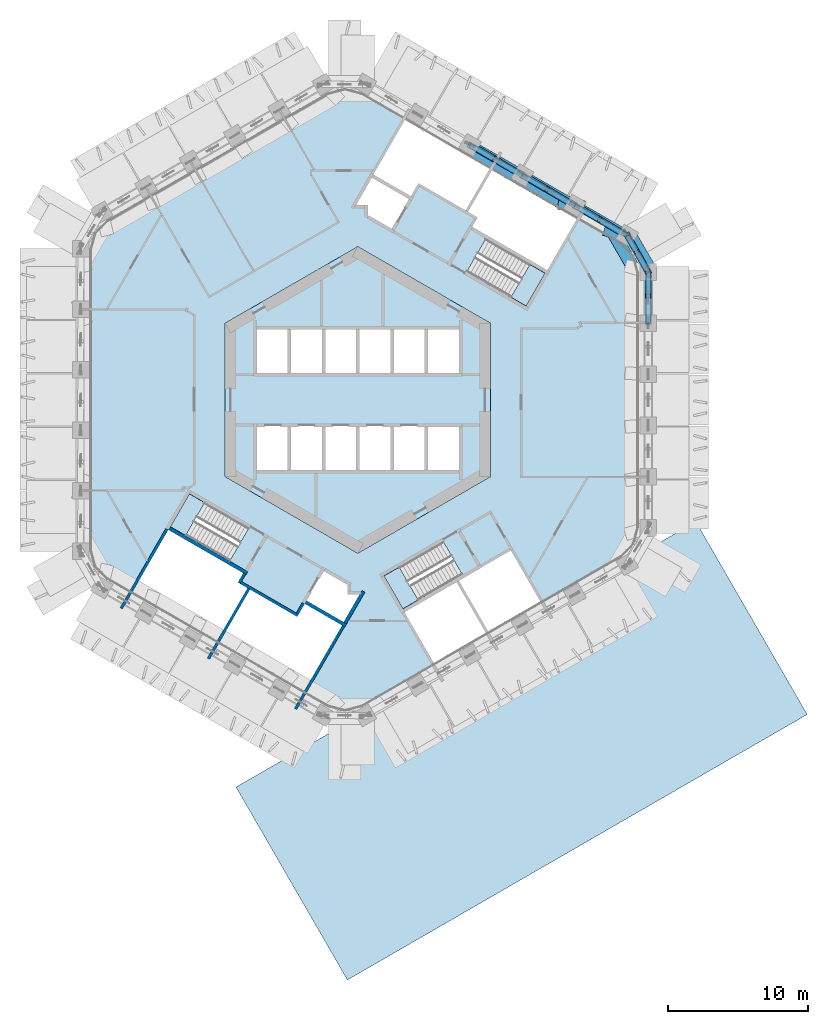
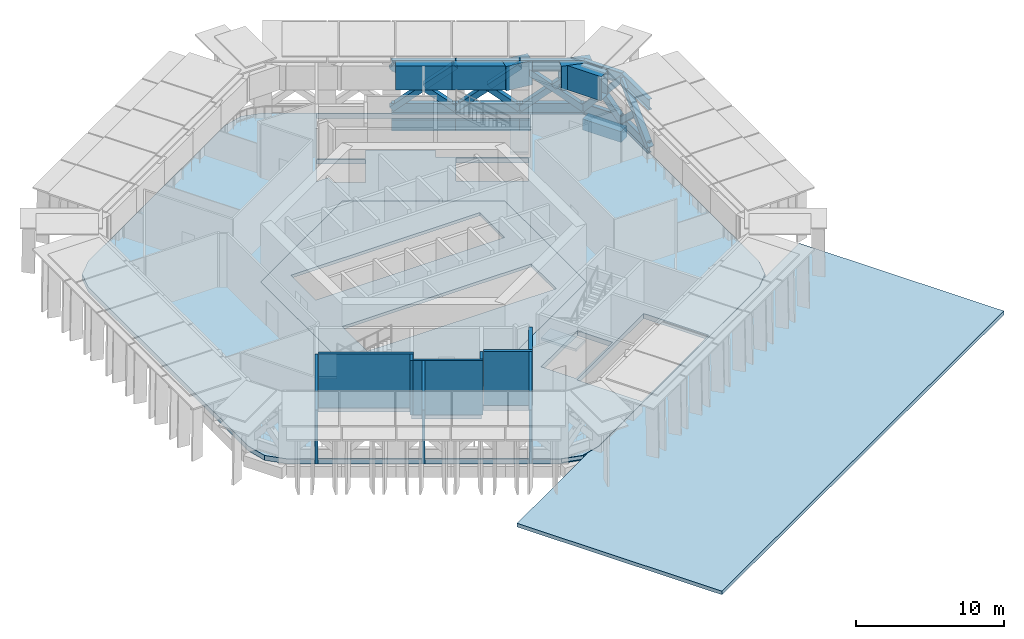
# One storey, part 5 of 16: 24 members, 9 beams, 9 walls, 6 slabs, 3 elements without a shape of their own.
"""IFC4 building model written with IfcOpenShell, lengths in metres."""

from ifc_helpers import new_model, si_unit, direction, frame, frame_2d, origin, origin_2d, place, context, subcontext, project, spatial, polyline, rectangle, hollow_rectangle, i_section, outline, extrude, material, layer, layer_set, material_profile, profile_set, type_object, element, aggregate, save


model = new_model("IFC4")

# Units and contexts
model_context = context("Model", 3, precision=1e-05, world=origin(), true_north=direction((0.0, 1.0)))
body_context = subcontext(model_context, "Body", "Model", "MODEL_VIEW")
ifc_project = project(units=[si_unit("LENGTHUNIT", "METRE"), si_unit("AREAUNIT", "SQUARE_METRE"), si_unit("VOLUMEUNIT", "CUBIC_METRE"), si_unit("PLANEANGLEUNIT", "RADIAN"), si_unit("MASSUNIT", "GRAM", prefix="KILO")], contexts=[model_context])

# Site, building, storey
site_placement = place(None, origin())
site = spatial("IfcSite", under=ifc_project, at=site_placement, CompositionType="ELEMENT")
building_placement = place(site_placement, origin())
building = spatial("IfcBuilding", under=site, at=building_placement, Name="Ayvan Gate Tower", CompositionType="ELEMENT")
storey_placement = place(building_placement, frame((0.0, 0.0, 78.300048828125)))
storey = spatial("IfcBuildingStorey", under=building, at=storey_placement, Name="L20", CompositionType="ELEMENT", Elevation=78.300048828125)

# Members
ifc_material_1 = material(Name="Steel S460ML", Category="steel")
ifc_material_profile_1 = material_profile(ifc_material_1, hollow_rectangle(XDim=0.449951171875, YDim=0.449951171875, WallThickness=0.02490234375, at=origin_2d()), Name="BOX 450x450x25")
ifc_profile_set_1 = profile_set([ifc_material_profile_1], Name="Steel S460ML")
member_type_1 = type_object("IfcMemberType", Name="Belt truss brace BT1 BOX 450x450x25", PredefinedType="BRACE", material=ifc_profile_set_1)
member_1_placement = place(storey_placement, frame((20.78466796875, 5.516845703125, 0.449951171875), z_axis=(0.0, 0.712633238517, 0.701536789742), x_axis=(-1.0, 0.0, 0.0)))
element("IfcMember", 1, at=member_1_placement, inside=storey, type_object=member_type_1, Name="BT1-DA-5", PredefinedType="BRACE", context=body_context, shape_type="SweptSolid", body=[
    extrude(hollow_rectangle(XDim=0.449951171875, YDim=0.449951171875, WallThickness=0.02490234375, at=origin_2d()), origin(), (0.0, 0.0, 1.0), 5.060302734375),
])
member_2_placement = place(storey_placement, frame((20.78466796875, 9.194580078125, 0.449951171875), z_axis=(0.0, -0.72351122991, 0.690312610485), x_axis=(1.0, 0.0, 0.0)))
element("IfcMember", 2, at=member_2_placement, inside=storey, type_object=member_type_1, Name="BT1-DB-5", PredefinedType="BRACE", context=body_context, shape_type="SweptSolid", body=[
    extrude(hollow_rectangle(XDim=0.449951171875, YDim=0.449951171875, WallThickness=0.02490234375, at=origin_2d()), origin(), (0.0, 0.0, 1.0), 2.456298828125),
])
member_3_placement = place(storey_placement, frame((20.78466796875, 9.194580078125, 0.449951171875), z_axis=(-0.325498242601, 0.548271698026, 0.770356436468), x_axis=(-0.85988095902, -0.510494599692, 0.0)))
element("IfcMember", 3, at=member_3_placement, inside=storey, type_object=member_type_1, Name="BT1-DA-6", PredefinedType="BRACE", context=body_context, shape_type="SweptSolid", body=[
    extrude(hollow_rectangle(XDim=0.449951171875, YDim=0.449951171875, WallThickness=0.02490234375, at=origin_2d()), origin(), (0.0, 0.0, 1.0), 4.6083984375),
])
member_4_placement = place(storey_placement, frame((19.28466796875, 11.792724609375, 0.449951171875), z_axis=(0.319953491886, -0.569393817515, 0.757245299494), x_axis=(0.871791696343, 0.489876758162, 0.0)))
element("IfcMember", 4, at=member_4_placement, inside=storey, type_object=member_type_1, Name="BT1-DB-6", PredefinedType="BRACE", context=body_context, shape_type="SweptSolid", body=[
    extrude(hollow_rectangle(XDim=0.449951171875, YDim=0.449951171875, WallThickness=0.02490234375, at=origin_2d()), origin(), (0.0, 0.0, 1.0), 2.2158203125),
])
member_5_placement = place(storey_placement, frame((20.07568359375, 10.385009765625, 2.322021484375), z_axis=(0.31993341987, -0.569468266979, 0.757197794341), x_axis=(0.871832169595, 0.489804724415, 0.0)))
element("IfcMember", 5, at=member_5_placement, inside=storey, type_object=member_type_1, Name="BT1-DC-6", PredefinedType="BRACE", context=body_context, shape_type="SweptSolid", body=[
    extrude(hollow_rectangle(XDim=0.449951171875, YDim=0.449951171875, WallThickness=0.02490234375, at=origin_2d()), origin(), (0.0, 0.0, 1.0), 2.216064453125),
])
member_6_placement = place(storey_placement, frame((19.28466796875, 11.792724609375, 0.449951171875), z_axis=(-0.673391719813, 0.375920861919, 0.636574502522), x_axis=(-0.487439635813, -0.873156687793, 0.0)))
element("IfcMember", 6, at=member_6_placement, inside=storey, type_object=member_type_1, Name="BT1-DA-7", PredefinedType="BRACE", context=body_context, shape_type="SweptSolid", body=[
    extrude(hollow_rectangle(XDim=0.449951171875, YDim=0.449951171875, WallThickness=0.02490234375, at=origin_2d()), origin(), (0.0, 0.0, 1.0), 5.576904296875),
])
member_7_placement = place(storey_placement, frame((15.541748046875, 13.95361328125, 0.449951171875), z_axis=(0.665871355865, -0.397151216909, 0.631574420275), x_axis=(0.512244808843, 0.858839481983, 0.0)))
element("IfcMember", 7, at=member_7_placement, inside=storey, type_object=member_type_1, Name="BT1-DB-7", PredefinedType="BRACE", context=body_context, shape_type="SweptSolid", body=[
    extrude(hollow_rectangle(XDim=0.449951171875, YDim=0.449951171875, WallThickness=0.02490234375, at=origin_2d()), origin(), (0.0, 0.0, 1.0), 2.676513671875),
])
member_8_placement = place(storey_placement, frame((17.496337890625, 12.787841796875, 2.3037109375), z_axis=(0.665858217983, -0.397151474999, 0.631588109016), x_axis=(0.51225250928, 0.8588348891, 0.0)))
element("IfcMember", 8, at=member_8_placement, inside=storey, type_object=member_type_1, Name="BT1-DC-7", PredefinedType="BRACE", context=body_context, shape_type="SweptSolid", body=[
    extrude(hollow_rectangle(XDim=0.449951171875, YDim=0.449951171875, WallThickness=0.02490234375, at=origin_2d()), origin(), (0.0, 0.0, 1.0), 2.685791015625),
])
member_9_placement = place(storey_placement, frame((15.541748046875, 13.95361328125, 0.449951171875), z_axis=(-0.674253001229, 0.376492879186, 0.635323541399), x_axis=(-0.487529677647, -0.873106415858, 0.0)))
element("IfcMember", 9, at=member_9_placement, inside=storey, type_object=member_type_1, Name="BT1-DA-8", PredefinedType="BRACE", context=body_context, shape_type="SweptSolid", body=[
    extrude(hollow_rectangle(XDim=0.449951171875, YDim=0.449951171875, WallThickness=0.02490234375, at=origin_2d()), origin(), (0.0, 0.0, 1.0), 5.587890625),
])
member_10_placement = place(storey_placement, frame((11.799072265625, 16.114501953125, 0.449951171875), z_axis=(0.66494855074, -0.396647203967, 0.632862086441), x_axis=(0.512288995468, 0.858813125844, 0.0)))
element("IfcMember", 10, at=member_10_placement, inside=storey, type_object=member_type_1, Name="BT1-DB-8", PredefinedType="BRACE", context=body_context, shape_type="SweptSolid", body=[
    extrude(hollow_rectangle(XDim=0.449951171875, YDim=0.449951171875, WallThickness=0.02490234375, at=origin_2d()), origin(), (0.0, 0.0, 1.0), 2.670654296875),
])
member_11_placement = place(storey_placement, frame((13.7470703125, 14.952392578125, 2.303955078125), z_axis=(0.664965330644, -0.396701919857, 0.632810157806), x_axis=(0.5123315797, 0.858787722573, 0.0)))
element("IfcMember", 11, at=member_11_placement, inside=storey, type_object=member_type_1, Name="BT1-DC-8", PredefinedType="BRACE", context=body_context, shape_type="SweptSolid", body=[
    extrude(hollow_rectangle(XDim=0.449951171875, YDim=0.449951171875, WallThickness=0.02490234375, at=origin_2d()), origin(), (0.0, 0.0, 1.0), 2.68017578125),
])
member_12_placement = place(storey_placement, frame((11.799072265625, 16.114501953125, 0.449951171875), z_axis=(-0.675143966683, 0.377013158687, 0.634067585064), x_axis=(-0.487552132167, -0.873093877209, 0.0)))
element("IfcMember", 12, at=member_12_placement, inside=storey, type_object=member_type_1, Name="BT1-DA-9", PredefinedType="BRACE", context=body_context, shape_type="SweptSolid", body=[
    extrude(hollow_rectangle(XDim=0.449951171875, YDim=0.449951171875, WallThickness=0.02490234375, at=origin_2d()), origin(), (0.0, 0.0, 1.0), 5.598876953125),
])
member_13_placement = place(storey_placement, frame((8.05615234375, 18.275390625, 0.449951171875), z_axis=(0.664098181852, -0.396168915381, 0.634053464108), x_axis=(0.512316620326, 0.85879664679, 0.0)))
element("IfcMember", 13, at=member_13_placement, inside=storey, type_object=member_type_1, Name="BT1-DB-9", PredefinedType="BRACE", context=body_context, shape_type="SweptSolid", body=[
    extrude(hollow_rectangle(XDim=0.449951171875, YDim=0.449951171875, WallThickness=0.02490234375, at=origin_2d()), origin(), (0.0, 0.0, 1.0), 2.665283203125),
])
member_14_placement = place(storey_placement, frame((9.998046875, 17.116943359375, 2.30419921875), z_axis=(0.664091074834, -0.396172544987, 0.634058639972), x_axis=(0.512324125775, 0.858792169357, 0.0)))
element("IfcMember", 14, at=member_14_placement, inside=storey, type_object=member_type_1, Name="BT1-DC-9", PredefinedType="BRACE", context=body_context, shape_type="SweptSolid", body=[
    extrude(hollow_rectangle(XDim=0.449951171875, YDim=0.449951171875, WallThickness=0.02490234375, at=origin_2d()), origin(), (0.0, 0.0, 1.0), 2.674560546875),
])
ifc_material_profile_2 = material_profile(ifc_material_1, i_section(OverallWidth=0.300048828125, OverallDepth=0.89990234375, WebThickness=0.0185546875, FlangeThickness=0.034912109375, FilletRadius=0.030029296875, at=origin_2d()), Name="HE 900 B")
ifc_profile_set_2 = profile_set([ifc_material_profile_2], Name="Steel S460ML")
member_type_2 = type_object("IfcMemberType", Name="Belt truss chord BT1 HE 900 B", PredefinedType="CHORD", material=ifc_profile_set_2)
member_15_placement = place(storey_placement, frame((20.78466796875, 5.516845703125, 0.449951171875), z_axis=(0.0, 1.0, 0.0), x_axis=(-1.0, 0.0, 0.0)))
element("IfcMember", 15, at=member_15_placement, inside=storey, type_object=member_type_2, Name="BT1-BC-5", PredefinedType="CHORD", context=body_context, shape_type="SweptSolid", body=[
    extrude(i_section(OverallWidth=0.300048828125, OverallDepth=0.89990234375, WebThickness=0.0185546875, FlangeThickness=0.034912109375, FilletRadius=0.030029296875, at=origin_2d()), origin(), (0.0, 0.0, 1.0), 3.677734375),
])
member_16_placement = place(storey_placement, frame((20.78466796875, 5.473876953125, 4.0), z_axis=(0.0, 1.0, 0.0), x_axis=(-1.0, 0.0, 0.0)))
element("IfcMember", 16, at=member_16_placement, inside=storey, type_object=member_type_2, Name="BT1-TC-5", PredefinedType="CHORD", context=body_context, shape_type="SweptSolid", body=[
    extrude(i_section(OverallWidth=0.300048828125, OverallDepth=0.89990234375, WebThickness=0.0185546875, FlangeThickness=0.034912109375, FilletRadius=0.030029296875, at=origin_2d()), origin(), (0.0, 0.0, 1.0), 3.649169921875),
])
for number, where, z_axis, x_axis, name in (
    (17, (20.78466796875, 9.194580078125, 0.449951171875), (-0.499990139034, 0.866031096941, 0.0), (-0.866031096941, -0.499990139034, 0.0), "BT1-BC-6"),
    (18, (20.78466796875, 9.123046875, 4.0), (-0.499990139034, 0.866031096941, 0.0), (-0.866031096941, -0.499990139034, 0.0), "BT1-TC-6"),
):
    element("IfcMember", number, at=place(storey_placement, frame(where, z_axis=z_axis, x_axis=x_axis)), inside=storey, type_object=member_type_2, Name=name, PredefinedType="CHORD", context=body_context, shape_type="SweptSolid", body=[
        extrude(i_section(OverallWidth=0.300048828125, OverallDepth=0.89990234375, WebThickness=0.0185546875, FlangeThickness=0.034912109375, FilletRadius=0.030029296875, at=origin_2d()), origin(), (0.0, 0.0, 1.0), 3.0),
    ])
member_17_placement = place(storey_placement, frame((19.28466796875, 11.792724609375, 0.449951171875), z_axis=(-0.866034135484, 0.499984875948, 0.0), x_axis=(-0.499984875948, -0.866034135484, 0.0)))
element("IfcMember", 19, at=member_17_placement, inside=storey, type_object=member_type_2, Name="BT1-BC-7", PredefinedType="CHORD", context=body_context, shape_type="SweptSolid", body=[
    extrude(i_section(OverallWidth=0.300048828125, OverallDepth=0.89990234375, WebThickness=0.0185546875, FlangeThickness=0.034912109375, FilletRadius=0.030029296875, at=origin_2d()), origin(), (0.0, 0.0, 1.0), 4.322021484375),
])
member_18_placement = place(storey_placement, frame((19.28466796875, 11.72119140625, 4.0), z_axis=(-0.866044951753, 0.499966140396, 0.0), x_axis=(-0.499966140396, -0.866044951753, 0.0)))
element("IfcMember", 20, at=member_18_placement, inside=storey, type_object=member_type_2, Name="BT1-TC-7", PredefinedType="CHORD", context=body_context, shape_type="SweptSolid", body=[
    extrude(i_section(OverallWidth=0.300048828125, OverallDepth=0.89990234375, WebThickness=0.0185546875, FlangeThickness=0.034912109375, FilletRadius=0.030029296875, at=origin_2d()), origin(), (0.0, 0.0, 1.0), 4.336181640625),
])
member_19_placement = place(storey_placement, frame((15.541748046875, 13.95361328125, 0.449951171875), z_axis=(-0.866020013031, 0.500009336943, 0.0), x_axis=(-0.500009336943, -0.866020013031, 0.0)))
element("IfcMember", 21, at=member_19_placement, inside=storey, type_object=member_type_2, Name="BT1-BC-8", PredefinedType="CHORD", context=body_context, shape_type="SweptSolid", body=[
    extrude(i_section(OverallWidth=0.300048828125, OverallDepth=0.89990234375, WebThickness=0.0185546875, FlangeThickness=0.034912109375, FilletRadius=0.030029296875, at=origin_2d()), origin(), (0.0, 0.0, 1.0), 4.32177734375),
])
member_20_placement = place(storey_placement, frame((15.529296875, 13.88916015625, 4.0), z_axis=(-0.866006496088, 0.50003274766, 0.0), x_axis=(-0.50003274766, -0.866006496088, 0.0)))
element("IfcMember", 22, at=member_20_placement, inside=storey, type_object=member_type_2, Name="BT1-TC-8", PredefinedType="CHORD", context=body_context, shape_type="SweptSolid", body=[
    extrude(i_section(OverallWidth=0.300048828125, OverallDepth=0.89990234375, WebThickness=0.0185546875, FlangeThickness=0.034912109375, FilletRadius=0.030029296875, at=origin_2d()), origin(), (0.0, 0.0, 1.0), 4.336181640625),
])
member_21_placement = place(storey_placement, frame((11.799072265625, 16.114501953125, 0.449951171875), z_axis=(-0.866034135484, 0.499984875948, 0.0), x_axis=(-0.499984875948, -0.866034135484, 0.0)))
element("IfcMember", 23, at=member_21_placement, inside=storey, type_object=member_type_2, Name="BT1-BC-9", PredefinedType="CHORD", context=body_context, shape_type="SweptSolid", body=[
    extrude(i_section(OverallWidth=0.300048828125, OverallDepth=0.89990234375, WebThickness=0.0185546875, FlangeThickness=0.034912109375, FilletRadius=0.030029296875, at=origin_2d()), origin(), (0.0, 0.0, 1.0), 4.322021484375),
])
member_22_placement = place(storey_placement, frame((11.774169921875, 16.057373046875, 4.0), z_axis=(-0.866030877007, 0.499990519981, 0.0), x_axis=(-0.499990519981, -0.866030877007, 0.0)))
element("IfcMember", 24, at=member_22_placement, inside=storey, type_object=member_type_2, Name="BT1-TC-9", PredefinedType="CHORD", context=body_context, shape_type="SweptSolid", body=[
    extrude(i_section(OverallWidth=0.300048828125, OverallDepth=0.89990234375, WebThickness=0.0185546875, FlangeThickness=0.034912109375, FilletRadius=0.030029296875, at=origin_2d()), origin(), (0.0, 0.0, 1.0), 4.3359375),
])

# Beams
ifc_material_2 = material(Name="Concrete C40/50", Category="concrete")
ifc_material_profile_3 = material_profile(ifc_material_2, rectangle(XDim=0.800048828125, YDim=0.89990234375, at=origin_2d()), Name="RC 800x900")
ifc_profile_set_3 = profile_set([ifc_material_profile_3], Name="Concrete C40/50")
beam_type_1 = type_object("IfcBeamType", Name="Corner spandrel beam RC 800x900 C40/50", PredefinedType="BEAM", material=ifc_profile_set_3)
beam_1_placement = place(storey_placement, frame((20.97509765625, 9.330810546875, -0.85009765625), z_axis=(-0.499990139034, 0.866031096941, 0.0), x_axis=(-0.866031096941, -0.499990139034, 0.0)))
element("IfcBeam", 25, at=beam_1_placement, inside=storey, type_object=beam_type_1, Name="SB-L20-6", PredefinedType="BEAM", context=body_context, shape_type="SweptSolid", body=[
    extrude(rectangle(XDim=0.800048828125, YDim=0.89990234375, at=origin_2d()), origin(), (0.0, 0.0, 1.0), 3.0),
])
ifc_material_profile_4 = material_profile(ifc_material_2, rectangle(XDim=0.60009765625, YDim=0.89990234375, at=origin_2d()), Name="RC 600x900")
ifc_profile_set_4 = profile_set([ifc_material_profile_4], Name="Concrete C40/50")
beam_type_2 = type_object("IfcBeamType", Name="Spandrel beam RC 600x900 C40/50", PredefinedType="BEAM", material=ifc_profile_set_4)
for number, where, z_axis, x_axis, name in (
    (26, (19.28466796875, 11.81884765625, -0.85009765625), (-0.866010398801, 0.500025988493, 0.0), (-0.500025988493, -0.866010398801, 0.0), "SB-L20-7"),
    (27, (15.54638671875, 13.977294921875, -0.85009765625), (-0.866034889475, 0.499983569942, 0.0), (-0.499983569942, -0.866034889475, 0.0), "SB-L20-8"),
    (28, (11.80810546875, 16.135498046875, -0.85009765625), (-0.866010398801, 0.500025988493, 0.0), (-0.500025988493, -0.866010398801, 0.0), "SB-L20-9"),
):
    element("IfcBeam", number, at=place(storey_placement, frame(where, z_axis=z_axis, x_axis=x_axis)), inside=storey, type_object=beam_type_2, Name=name, PredefinedType="BEAM", context=body_context, shape_type="SweptSolid", body=[
        extrude(rectangle(XDim=0.60009765625, YDim=0.89990234375, at=origin_2d()), origin(), (0.0, 0.0, 1.0), 4.316650390625),
    ])
ifc_material_profile_5 = material_profile(ifc_material_1, hollow_rectangle(XDim=0.89990234375, YDim=2.0, WallThickness=0.06005859375, at=origin_2d()), Name="BOX 900x2000x60")
ifc_profile_set_5 = profile_set([ifc_material_profile_5], Name="Steel S460ML")
beam_type_3 = type_object("IfcBeamType", Name="Transfer ring girder BOX 900x2000x60", PredefinedType="BEAM", material=ifc_profile_set_5)
beam_2_placement = place(storey_placement, frame((19.6328125, 9.60302734375, 3.449951171875), z_axis=(-0.50002537861, 0.866010750942, 0.0), x_axis=(-0.866010750942, -0.50002537861, 0.0)))
element("IfcBeam", 29, at=beam_2_placement, inside=storey, type_object=beam_type_3, Name="TR-L20-6", PredefinedType="BEAM", context=body_context, shape_type="SweptSolid", body=[
    extrude(hollow_rectangle(XDim=0.89990234375, YDim=2.0, WallThickness=0.06005859375, at=origin_2d()), origin(), (0.0, 0.0, 1.0), 2.999755859375),
])
beam_3_placement = place(storey_placement, frame((14.6884765625, 14.01953125, 3.449951171875), z_axis=(-0.866028607742, 0.499994450542, 0.0), x_axis=(-0.499994450542, -0.866028607742, 0.0)))
element("IfcBeam", 30, at=beam_3_placement, inside=storey, type_object=beam_type_3, Name="TR-L20-8", PredefinedType="BEAM", context=body_context, shape_type="SweptSolid", body=[
    extrude(hollow_rectangle(XDim=0.89990234375, YDim=2.0, WallThickness=0.06005859375, at=origin_2d()), origin(), (0.0, 0.0, 1.0), 3.80712890625),
])
beam_4_placement = place(storey_placement, frame((11.391357421875, 15.923095703125, 3.449951171875), z_axis=(-0.866000839906, 0.500042543472, 0.0), x_axis=(-0.500042543472, -0.866000839906, 0.0)))
element("IfcBeam", 31, at=beam_4_placement, inside=storey, type_object=beam_type_3, Name="TR-L20-9", PredefinedType="BEAM", context=body_context, shape_type="SweptSolid", body=[
    extrude(hollow_rectangle(XDim=0.89990234375, YDim=2.0, WallThickness=0.06005859375, at=origin_2d()), origin(), (0.0, 0.0, 1.0), 3.807373046875),
])
beam_5_placement = place(storey_placement, frame((19.738037109375, 11.598388671875, 3.449951171875), z_axis=(-0.95904886431, 0.283240667748, 0.0), x_axis=(-0.283240667748, -0.95904886431, 0.0)))
element("IfcBeam", 32, at=beam_5_placement, inside=storey, type_object=beam_type_3, Name="TS-L20-T1-0", PredefinedType="BEAM", context=body_context, shape_type="SweptSolid", body=[
    extrude(hollow_rectangle(XDim=0.89990234375, YDim=2.0, WallThickness=0.06005859375, at=origin_2d()), origin(), (0.0, 0.0, 1.0), 2.17724609375),
])
beam_6_placement = place(storey_placement, frame((16.248291015625, 13.796875, 3.449951171875), z_axis=(-0.989957099481, 0.141368105267, 0.0), x_axis=(-0.141368105267, -0.989957099481, 0.0)))
element("IfcBeam", 33, at=beam_6_placement, inside=storey, type_object=beam_type_3, Name="TS-L20-T1-1", PredefinedType="BEAM", context=body_context, shape_type="SweptSolid", body=[
    extrude(hollow_rectangle(XDim=0.89990234375, YDim=2.0, WallThickness=0.06005859375, at=origin_2d()), origin(), (0.0, 0.0, 1.0), 1.925537109375),
])

# Slabs
ifc_layer_1 = layer(ifc_material_2, 0.39990234375)
ifc_layer_set_1 = layer_set([ifc_layer_1], Name="Concrete C40/50")
slab_type_1 = type_object("IfcSlabType", Name="Post-tensioned flat slab 400", PredefinedType="FLOOR", material=ifc_layer_set_1)
slab_1_placement = place(storey_placement, frame((0.0, 0.0, -0.400146484375)))
element("IfcSlab", 34, at=slab_1_placement, inside=storey, type_object=slab_type_1, Name="SL-L20", PredefinedType="FLOOR", context=body_context, shape_type="SweptSolid", body=[
    extrude(outline(polyline([(-18.363037109375, -13.398193359375), (-19.4609375, -12.300048828125), (-19.863037109375, -10.800048828125), (-19.863037109375, 10.800048828125), (-19.4609375, 12.300048828125), (-18.363037109375, 13.398193359375), (-2.421630859375, 22.601806640625), (-0.921630859375, 23.00390625), (0.578369140625, 22.601806640625), (19.28466796875, 11.8017578125), (20.382568359375, 10.703857421875), (20.78466796875, 9.203857421875), (20.78466796875, -9.203857421875), (20.382568359375, -10.703857421875), (19.28466796875, -11.8017578125), (0.578369140625, -22.601806640625), (-0.921630859375, -23.00390625), (-2.421630859375, -22.601806640625), (-18.363037109375, -13.398193359375)]), holes=[polyline([(8.44287109375, 13.0234375), (8.042724609375, 12.33056640625), (13.58544921875, 9.130615234375), (16.116943359375, 13.51513671875), (3.64599609375, 20.71533203125), (1.0146484375, 16.157470703125), (3.87255859375, 14.50732421875), (4.37255859375, 15.373291015625), (7.75, 13.42333984375), (8.44287109375, 13.0234375)]), polyline([(3.193115234375, -15.130615234375), (3.581787109375, -15.8037109375), (4.761474609375, -17.847412109375), (5.724609375, -19.51513671875), (13.518798828125, -15.01513671875), (12.241943359375, -12.8037109375), (10.9873046875, -10.630615234375), (8.735595703125, -11.9306640625), (7.090087890625, -12.880615234375), (3.193115234375, -15.130615234375)]), polyline([(7.80615234375, 9.170654296875), (12.049560546875, 6.720458984375), (13.404541015625, 9.0673828125), (9.1611328125, 11.517578125), (7.80615234375, 9.170654296875)]), polyline([(-9.5, -5.48486328125), (0.0, -10.9697265625), (9.5, -5.48486328125), (9.5, 5.48486328125), (0.0, 10.9697265625), (-9.5, 5.48486328125), (-9.5, -5.48486328125)]), polyline([(6.117431640625, -10.1455078125), (1.873779296875, -12.595458984375), (3.228759765625, -14.9423828125), (7.472412109375, -12.492431640625), (6.117431640625, -10.1455078125)]), polyline([(0.964599609375, 16.07080078125), (-0.340576171875, 13.81005859375), (0.60009765625, 13.81005859375), (0.60009765625, 13.16357421875), (2.472412109375, 12.08251953125), (3.822509765625, 14.420654296875), (0.964599609375, 16.07080078125)]), polyline([(-0.60009765625, -13.16357421875), (-2.472412109375, -12.08251953125), (-3.822509765625, -14.420654296875), (-0.964599609375, -16.07080078125), (-0.810546875, -15.8037109375), (0.340576171875, -13.81005859375), (-0.60009765625, -13.81005859375), (-0.60009765625, -13.16357421875)]), polyline([(-16.57763671875, -14.3134765625), (-4.10693359375, -21.513427734375), (-1.0146484375, -16.157470703125), (-3.87255859375, -14.50732421875), (-4.37255859375, -15.373291015625), (-7.75, -13.42333984375), (-8.44287109375, -13.0234375), (-8.042724609375, -12.33056640625), (-13.58544921875, -9.130615234375), (-16.57763671875, -14.3134765625)]), polyline([(-13.404541015625, -9.0673828125), (-9.1611328125, -11.517578125), (-7.80615234375, -9.170654296875), (-12.049560546875, -6.720458984375), (-13.404541015625, -9.0673828125)])]), origin(), (0.0, 0.0, 1.0), 0.400146484375),
])
ifc_layer_2 = layer(ifc_material_2, 0.300048828125)
ifc_layer_set_2 = layer_set([ifc_layer_2], Name="Concrete C40/50")
slab_type_2 = type_object("IfcSlabType", Name="Roof slab 300", PredefinedType="ROOF", material=ifc_layer_set_2)
slab_2_placement = place(storey_placement, frame((0.0, 0.0, -0.300048828125)))
element("IfcSlab", 35, at=slab_2_placement, inside=storey, type_object=slab_type_2, Name="RF-B1", PredefinedType="ROOF", context=body_context, shape_type="SweptSolid", body=[
    extrude(outline(polyline([(32.162353515625, -22.506591796875), (-0.746826171875, -41.506591796875), (-8.716552734375, -27.702392578125), (-0.471435546875, -22.942138671875), (-0.851806640625, -23.044189453125), (-2.351806640625, -22.64208984375), (-2.354736328125, -22.640625), (-0.9267578125, -23.023193359375), (-0.9248046875, -23.0234375), (-0.922607421875, -23.023681640625), (-0.920654296875, -23.023681640625), (-0.91845703125, -23.0234375), (-0.91650390625, -23.023193359375), (0.58349609375, -22.62109375), (0.585205078125, -22.62060546875), (0.5869140625, -22.6201171875), (0.58837890625, -22.619140625), (19.294677734375, -11.819091796875), (19.296142578125, -11.818115234375), (19.29736328125, -11.817138671875), (19.298828125, -11.81591796875), (20.396728515625, -10.7177734375), (20.398193359375, -10.71630859375), (20.3994140625, -10.714599609375), (20.400390625, -10.712890625), (20.4013671875, -10.7109375), (20.402099609375, -10.708984375), (20.78466796875, -9.281005859375), (20.78466796875, -9.284423828125), (20.382568359375, -10.784423828125), (20.104248046875, -11.062744140625), (24.1923828125, -8.702392578125), (32.162353515625, -22.506591796875)])), origin(), (0.0, 0.0, 1.0), 0.300048828125),
])
ifc_layer_3 = layer(ifc_material_2, 0.25)
ifc_layer_set_3 = layer_set([ifc_layer_3], Name="Concrete C40/50")
slab_type_3 = type_object("IfcSlabType", Name="SL-CORE-250", PredefinedType="FLOOR", material=ifc_layer_set_3)
slab_3_placement = place(storey_placement, frame((0.0, 0.0, -0.25)))
element("IfcSlab", 36, at=slab_3_placement, inside=storey, type_object=slab_type_3, Name="CS-L20", PredefinedType="FLOOR", context=body_context, shape_type="SweptSolid", body=[
    extrude(outline(polyline([(9.5, -5.48486328125), (0.0, -10.9697265625), (-9.5, -5.48486328125), (-9.5, 5.48486328125), (0.0, 10.9697265625), (9.5, 5.48486328125), (9.5, -5.48486328125)]), holes=[polyline([(-7.35009765625, -1.800048828125), (-7.35009765625, -5.14990234375), (7.35009765625, -5.14990234375), (7.35009765625, -1.800048828125), (-7.35009765625, -1.800048828125)]), polyline([(-7.35009765625, 5.14990234375), (-7.35009765625, 1.800048828125), (7.35009765625, 1.800048828125), (7.35009765625, 5.14990234375), (-7.35009765625, 5.14990234375)])]), origin(), (0.0, 0.0, 1.0), 0.25),
])

# Stair, slab
stair_type = type_object("IfcStairType", Name="ST-EXIT", PredefinedType="HALF_TURN_STAIR", material=ifc_material_2)
stair_1_placement = place(storey_placement, origin())
stair_1 = element("IfcStair", 37, at=stair_1_placement, inside=storey, type_object=stair_type, Name="L20 Exit Stair S1", PredefinedType="HALF_TURN_STAIR")
ifc_layer_4 = layer(ifc_material_2, 0.199951171875)
ifc_layer_set_4 = layer_set([ifc_layer_4], Name="Concrete C40/50")
slab_type_4 = type_object("IfcSlabType", Name="SL-LANDING-200", PredefinedType="LANDING", material=ifc_layer_set_4)
slab_4_placement = place(storey_placement, frame((0.0, 0.0, 2.199951171875)))
slab_4 = element("IfcSlab", 38, at=slab_4_placement, type_object=slab_type_4, Name="STS1 landing 1", PredefinedType="LANDING", context=body_context, shape_type="SweptSolid", body=[
    extrude(outline(polyline([(10.95849609375, 7.3505859375), (12.049560546875, 6.720458984375), (13.404541015625, 9.0673828125), (12.3134765625, 9.697509765625), (10.95849609375, 7.3505859375)])), origin(), (0.0, 0.0, 1.0), 0.199951171875),
])
aggregate(stair_1, [slab_4])

stair_2_placement = place(storey_placement, origin())
stair_2 = element("IfcStair", 39, at=stair_2_placement, inside=storey, type_object=stair_type, Name="L20 Exit Stair S2", PredefinedType="HALF_TURN_STAIR")
slab_5_placement = place(storey_placement, frame((0.0, 0.0, 2.199951171875)))
slab_5 = element("IfcSlab", 40, at=slab_5_placement, type_object=slab_type_4, Name="STS2 landing 1", PredefinedType="LANDING", context=body_context, shape_type="SweptSolid", body=[
    extrude(outline(polyline([(-10.95849609375, -7.3505859375), (-12.049560546875, -6.720458984375), (-13.404541015625, -9.0673828125), (-12.3134765625, -9.697509765625), (-10.95849609375, -7.3505859375)])), origin(), (0.0, 0.0, 1.0), 0.199951171875),
])
aggregate(stair_2, [slab_5])

stair_3_placement = place(storey_placement, origin())
stair_3 = element("IfcStair", 41, at=stair_3_placement, inside=storey, type_object=stair_type, Name="L20 Exit Stair S3", PredefinedType="HALF_TURN_STAIR")
slab_6_placement = place(storey_placement, frame((0.0, 0.0, 2.199951171875)))
slab_6 = element("IfcSlab", 42, at=slab_6_placement, type_object=slab_type_4, Name="STS3 landing 1", PredefinedType="LANDING", context=body_context, shape_type="SweptSolid", body=[
    extrude(outline(polyline([(2.965087890625, -11.965576171875), (1.873779296875, -12.595458984375), (3.228759765625, -14.9423828125), (4.320068359375, -14.3125), (2.965087890625, -11.965576171875)])), origin(), (0.0, 0.0, 1.0), 0.199951171875),
])
aggregate(stair_3, [slab_6])

# Walls
ifc_material_3 = material(Name="Plasterboard on steel stud", Category="steel")
ifc_layer_5 = layer(ifc_material_3, 0.199951171875)
ifc_layer_set_5 = layer_set([ifc_layer_5], Name="Plasterboard on steel stud")
wall_type_1 = type_object("IfcWallType", Name="WT-PLUMB-200", PredefinedType="PLUMBINGWALL", material=ifc_layer_set_5)
wall_1_placement = place(storey_placement, frame((-16.92578125, -14.916259765625, 0.0), z_axis=(0.0, 0.0, 1.0), x_axis=(0.499992165211, 0.866029927155, 0.0)))
element("IfcWall", 43, at=wall_1_placement, inside=storey, type_object=wall_type_1, Name="IW-L20-004", PredefinedType="PLUMBINGWALL", context=body_context, shape_type="SweptSolid", body=[
    extrude(rectangle(XDim=6.5556640625, YDim=0.199951171875, at=frame_2d((3.27783203125, 0.0))), origin(), (0.0, 0.0, 1.0), 4.449951171875),
])
wall_2_placement = place(storey_placement, frame((-8.492919921875, -13.110107421875, 0.0), z_axis=(0.0, 0.0, 1.0), x_axis=(0.500067724834, 0.865986299303, 0.0)))
element("IfcWall", 44, at=wall_2_placement, inside=storey, type_object=wall_type_1, Name="IW-L20-020", PredefinedType="PLUMBINGWALL", context=body_context, shape_type="SweptSolid", body=[
    extrude(rectangle(XDim=0.775390625, YDim=0.199951171875, at=frame_2d((0.3876953125, 0.0))), origin(), (0.0, 0.0, 1.0), 4.449951171875),
])
wall_3_placement = place(storey_placement, frame((-7.800048828125, -13.510009765625, 0.0), z_axis=(0.0, 0.0, 1.0), x_axis=(-0.499982030767, -0.866035778077, 0.0)))
element("IfcWall", 45, at=wall_3_placement, inside=storey, type_object=wall_type_1, Name="IW-L20-022", PredefinedType="PLUMBINGWALL", context=body_context, shape_type="SweptSolid", body=[
    extrude(rectangle(XDim=5.780517578125, YDim=0.199951171875, at=frame_2d((2.89013671875, 0.0))), origin(), (0.0, 0.0, 1.0), 4.449951171875),
])
wall_4_placement = place(storey_placement, frame((-8.356201171875, -13.073486328125, 0.0), z_axis=(0.0, 0.0, 1.0), x_axis=(0.866038532462, -0.499977259774, 0.0)))
element("IfcWall", 46, at=wall_4_placement, inside=storey, type_object=wall_type_1, Name="IW-L20-023", PredefinedType="PLUMBINGWALL", context=body_context, shape_type="SweptSolid", body=[
    extrude(rectangle(XDim=4.699951171875, YDim=0.199951171875, at=frame_2d((2.35009765625, 0.0))), origin(), (0.0, 0.0, 1.0), 4.449951171875),
])
wall_5_placement = place(storey_placement, frame((-3.885009765625, -14.52880859375, 0.0), z_axis=(0.0, 0.0, 1.0), x_axis=(-0.499859285417, -0.866106630146, 0.0)))
element("IfcWall", 47, at=wall_5_placement, inside=storey, type_object=wall_type_1, Name="IW-L20-036", PredefinedType="PLUMBINGWALL", context=body_context, shape_type="SweptSolid", body=[
    extrude(rectangle(XDim=0.875244140625, YDim=0.199951171875, at=frame_2d((0.4375, 0.0))), origin(), (0.0, 0.0, 1.0), 4.449951171875),
])
wall_6_placement = place(storey_placement, frame((-1.027099609375, -16.178955078125, 0.0), z_axis=(0.0, 0.0, 1.0), x_axis=(-0.499984476993, -0.866034365811, 0.0)))
element("IfcWall", 48, at=wall_6_placement, inside=storey, type_object=wall_type_1, Name="IW-L20-047", PredefinedType="PLUMBINGWALL", context=body_context, shape_type="SweptSolid", body=[
    extrude(rectangle(XDim=6.855712890625, YDim=0.199951171875, at=frame_2d((3.427734375, 0.0))), origin(), (0.0, 0.0, 1.0), 4.449951171875),
])
ifc_material_4 = material(Name="Concrete C50/60", Category="concrete")
ifc_layer_6 = layer(ifc_material_4, 0.25)
ifc_layer_set_6 = layer_set([ifc_layer_6], Name="Concrete C50/60")
wall_type_2 = type_object("IfcWallType", Name="WT-RC-250", PredefinedType="SHEAR", material=ifc_layer_set_6)
wall_7_placement = place(storey_placement, frame((-7.9345703125, -12.39306640625, 0.0), z_axis=(0.0, 0.0, 1.0), x_axis=(-0.866025499775, 0.499999833739, 0.0)))
element("IfcWall", 49, at=wall_7_placement, inside=storey, type_object=wall_type_2, Name="IW-L20-021", PredefinedType="SHEAR", context=body_context, shape_type="SweptSolid", body=[
    extrude(rectangle(XDim=6.39990234375, YDim=0.25, at=frame_2d((3.199951171875, 0.0))), origin(), (0.0, 0.0, 1.0), 4.449951171875),
])
wall_8_placement = place(storey_placement, frame((-0.8564453125, -16.13330078125, 0.0), z_axis=(0.0, 0.0, 1.0), x_axis=(-0.866021716278, 0.500006386895, 0.0)))
element("IfcWall", 50, at=wall_8_placement, inside=storey, type_object=wall_type_2, Name="IW-L20-048", PredefinedType="SHEAR", context=body_context, shape_type="SweptSolid", body=[
    extrude(rectangle(XDim=3.2998046875, YDim=0.25, at=frame_2d((1.64990234375, 0.0))), origin(), (0.0, 0.0, 1.0), 4.449951171875),
])
wall_9_placement = place(storey_placement, frame((-0.902099609375, -15.96240234375, 0.0), z_axis=(0.0, 0.0, 1.0), x_axis=(0.499981517636, 0.866036074319, 0.0)))
element("IfcWall", 51, at=wall_9_placement, inside=storey, type_object=wall_type_2, Name="IW-L20-049", PredefinedType="SHEAR", context=body_context, shape_type="SweptSolid", body=[
    extrude(rectangle(XDim=2.6103515625, YDim=0.25, at=frame_2d((1.30517578125, 0.0))), origin(), (0.0, 0.0, 1.0), 4.449951171875),
])

save(model, "model.ifc")
